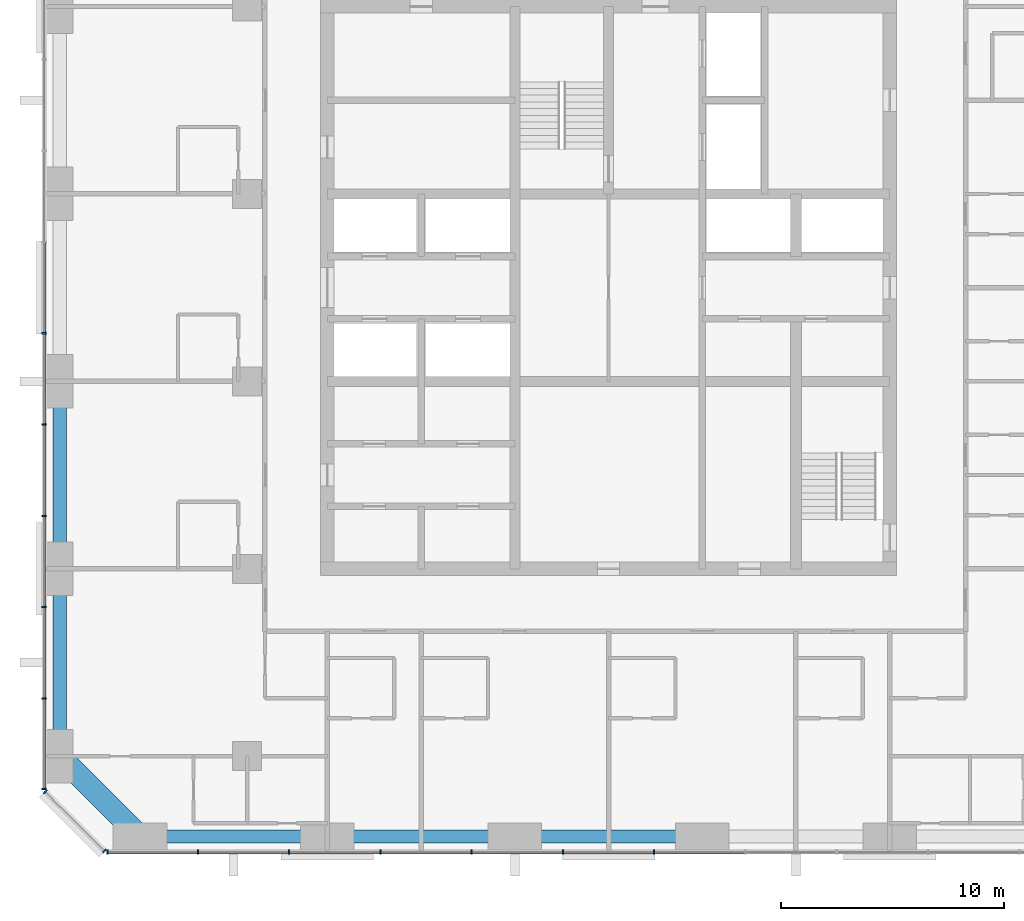
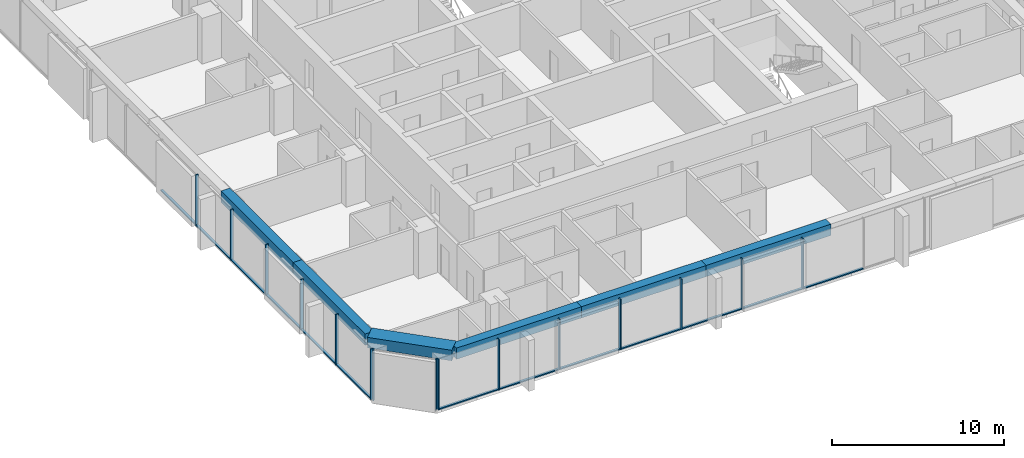
# One storey, part 2 of 13: 28 members, 6 beams, 3 elements without a shape of their own.
"""IFC4 building model written with IfcOpenShell, lengths in metres."""

from ifc_helpers import new_model, si_unit, direction, frame, origin, origin_2d, place, context, subcontext, project, spatial, rectangle, extrude, material, material_profile, profile_set, type_object, element, aggregate, save


model = new_model("IFC4")

# Units and contexts
model_context = context("Model", 3, precision=1e-05, world=origin(), true_north=direction((0.0, 1.0)))
body_context = subcontext(model_context, "Body", "Model", "MODEL_VIEW")
ifc_project = project(units=[si_unit("LENGTHUNIT", "METRE"), si_unit("AREAUNIT", "SQUARE_METRE"), si_unit("VOLUMEUNIT", "CUBIC_METRE"), si_unit("PLANEANGLEUNIT", "RADIAN"), si_unit("MASSUNIT", "GRAM", prefix="KILO")], contexts=[model_context])

# Site, building, storey
site_placement = place(None, origin())
site = spatial("IfcSite", under=ifc_project, at=site_placement, CompositionType="ELEMENT")
building_placement = place(site_placement, origin())
building = spatial("IfcBuilding", under=site, at=building_placement, Name="Dunama Terrace Hotel", CompositionType="ELEMENT")
storey_placement = place(building_placement, frame((0.0, 0.0, 195.0)))
storey = spatial("IfcBuildingStorey", under=building, at=storey_placement, Name="L50", CompositionType="ELEMENT", Elevation=195.0)

# Curtain wall, members
ifc_material_1 = material(Name="Aluminium curtain wall system", Category="aluminium")
curtain_wall_type = type_object("IfcCurtainWallType", Name="Unitised fritted glass wall CW-C", PredefinedType="NOTDEFINED", material=ifc_material_1)
curtain_wall_1_placement = place(storey_placement, origin())
curtain_wall_1 = element("IfcCurtainWall", 1, at=curtain_wall_1_placement, inside=storey, type_object=curtain_wall_type, Name="Unitised fritted glass wall CW-C L50", PredefinedType="NOTDEFINED")
ifc_material_2 = material(Name="Aluminium mullion", Category="aluminium")
ifc_material_profile_1 = material_profile(ifc_material_2, rectangle(XDim=0.070068359375, YDim=0.199951171875, at=origin_2d()), Name="CWC MULLION 70X200")
ifc_profile_set_1 = profile_set([ifc_material_profile_1], Name="Aluminium mullion")
member_type_1 = type_object("IfcMemberType", Name="CWC mullion 70x200", PredefinedType="MULLION", material=ifc_profile_set_1)
member_1_placement = place(storey_placement, frame((6.93505859375, 4.10009765625, 0.0), z_axis=(0.0, 0.0, 1.0), x_axis=(1.0, 0.0, 0.0)))
member_1 = element("IfcMember", 2, at=member_1_placement, type_object=member_type_1, Name="CWC mullion", PredefinedType="MULLION", context=body_context, shape_type="SweptSolid", body=[
    extrude(rectangle(XDim=0.070068359375, YDim=0.199951171875, at=origin_2d()), origin(), (0.0, 0.0, 1.0), 3.60009765625),
])
member_2_placement = place(storey_placement, frame((10.990966796875, 4.10009765625, 0.0), z_axis=(0.0, 0.0, 1.0), x_axis=(1.0, 0.0, 0.0)))
member_2 = element("IfcMember", 3, at=member_2_placement, type_object=member_type_1, Name="CWC mullion", PredefinedType="MULLION", context=body_context, shape_type="SweptSolid", body=[
    extrude(rectangle(XDim=0.070068359375, YDim=0.199951171875, at=origin_2d()), origin(), (0.0, 0.0, 1.0), 3.60009765625),
])
member_3_placement = place(storey_placement, frame((15.08203125, 4.10009765625, 0.0), z_axis=(0.0, 0.0, 1.0), x_axis=(1.0, 0.0, 0.0)))
member_3 = element("IfcMember", 4, at=member_3_placement, type_object=member_type_1, Name="CWC mullion", PredefinedType="MULLION", context=body_context, shape_type="SweptSolid", body=[
    extrude(rectangle(XDim=0.070068359375, YDim=0.199951171875, at=origin_2d()), origin(), (0.0, 0.0, 1.0), 3.60009765625),
])
member_4_placement = place(storey_placement, frame((19.173095703125, 4.10009765625, 0.0), z_axis=(0.0, 0.0, 1.0), x_axis=(1.0, 0.0, 0.0)))
member_4 = element("IfcMember", 5, at=member_4_placement, type_object=member_type_1, Name="CWC mullion", PredefinedType="MULLION", context=body_context, shape_type="SweptSolid", body=[
    extrude(rectangle(XDim=0.070068359375, YDim=0.199951171875, at=origin_2d()), origin(), (0.0, 0.0, 1.0), 3.60009765625),
])
member_5_placement = place(storey_placement, frame((23.263916015625, 4.10009765625, 0.0), z_axis=(0.0, 0.0, 1.0), x_axis=(1.0, 0.0, 0.0)))
member_5 = element("IfcMember", 6, at=member_5_placement, type_object=member_type_1, Name="CWC mullion", PredefinedType="MULLION", context=body_context, shape_type="SweptSolid", body=[
    extrude(rectangle(XDim=0.070068359375, YDim=0.199951171875, at=origin_2d()), origin(), (0.0, 0.0, 1.0), 3.60009765625),
])
member_6_placement = place(storey_placement, frame((27.35498046875, 4.10009765625, 0.0), z_axis=(0.0, 0.0, 1.0), x_axis=(1.0, 0.0, 0.0)))
member_6 = element("IfcMember", 7, at=member_6_placement, type_object=member_type_1, Name="CWC mullion", PredefinedType="MULLION", context=body_context, shape_type="SweptSolid", body=[
    extrude(rectangle(XDim=0.070068359375, YDim=0.199951171875, at=origin_2d()), origin(), (0.0, 0.0, 1.0), 3.60009765625),
])
member_7_placement = place(storey_placement, frame((31.445068359375, 4.10009765625, 0.0), z_axis=(0.0, 0.0, 1.0), x_axis=(1.0, 0.0, 0.0)))
member_7 = element("IfcMember", 8, at=member_7_placement, type_object=member_type_1, Name="CWC mullion", PredefinedType="MULLION", context=body_context, shape_type="SweptSolid", body=[
    extrude(rectangle(XDim=0.070068359375, YDim=0.199951171875, at=origin_2d()), origin(), (0.0, 0.0, 1.0), 3.60009765625),
])

curtain_wall_2_placement = place(storey_placement, origin())
curtain_wall_2 = element("IfcCurtainWall", 9, at=curtain_wall_2_placement, inside=storey, type_object=curtain_wall_type, Name="Unitised fritted glass wall CW-C L50", PredefinedType="NOTDEFINED")
member_8_placement = place(storey_placement, frame((4.10009765625, 27.35498046875, 0.0), z_axis=(0.0, 0.0, 1.0), x_axis=(0.0, -1.0, 0.0)))
member_8 = element("IfcMember", 10, at=member_8_placement, type_object=member_type_1, Name="CWC mullion", PredefinedType="MULLION", context=body_context, shape_type="SweptSolid", body=[
    extrude(rectangle(XDim=0.070068359375, YDim=0.199951171875, at=origin_2d()), origin(), (0.0, 0.0, 1.0), 3.60009765625),
])
member_9_placement = place(storey_placement, frame((4.10009765625, 23.263916015625, 0.0), z_axis=(0.0, 0.0, 1.0), x_axis=(0.0, -1.0, 0.0)))
member_9 = element("IfcMember", 11, at=member_9_placement, type_object=member_type_1, Name="CWC mullion", PredefinedType="MULLION", context=body_context, shape_type="SweptSolid", body=[
    extrude(rectangle(XDim=0.070068359375, YDim=0.199951171875, at=origin_2d()), origin(), (0.0, 0.0, 1.0), 3.60009765625),
])
member_10_placement = place(storey_placement, frame((4.10009765625, 19.173095703125, 0.0), z_axis=(0.0, 0.0, 1.0), x_axis=(0.0, -1.0, 0.0)))
member_10 = element("IfcMember", 12, at=member_10_placement, type_object=member_type_1, Name="CWC mullion", PredefinedType="MULLION", context=body_context, shape_type="SweptSolid", body=[
    extrude(rectangle(XDim=0.070068359375, YDim=0.199951171875, at=origin_2d()), origin(), (0.0, 0.0, 1.0), 3.60009765625),
])
member_11_placement = place(storey_placement, frame((4.10009765625, 15.08203125, 0.0), z_axis=(0.0, 0.0, 1.0), x_axis=(0.0, -1.0, 0.0)))
member_11 = element("IfcMember", 13, at=member_11_placement, type_object=member_type_1, Name="CWC mullion", PredefinedType="MULLION", context=body_context, shape_type="SweptSolid", body=[
    extrude(rectangle(XDim=0.070068359375, YDim=0.199951171875, at=origin_2d()), origin(), (0.0, 0.0, 1.0), 3.60009765625),
])
member_12_placement = place(storey_placement, frame((4.10009765625, 10.990966796875, 0.0), z_axis=(0.0, 0.0, 1.0), x_axis=(0.0, -1.0, 0.0)))
member_12 = element("IfcMember", 14, at=member_12_placement, type_object=member_type_1, Name="CWC mullion", PredefinedType="MULLION", context=body_context, shape_type="SweptSolid", body=[
    extrude(rectangle(XDim=0.070068359375, YDim=0.199951171875, at=origin_2d()), origin(), (0.0, 0.0, 1.0), 3.60009765625),
])
member_13_placement = place(storey_placement, frame((4.10009765625, 6.93505859375, 0.0), z_axis=(0.0, 0.0, 1.0), x_axis=(0.0, -1.0, 0.0)))
member_13 = element("IfcMember", 15, at=member_13_placement, type_object=member_type_1, Name="CWC mullion", PredefinedType="MULLION", context=body_context, shape_type="SweptSolid", body=[
    extrude(rectangle(XDim=0.070068359375, YDim=0.199951171875, at=origin_2d()), origin(), (0.0, 0.0, 1.0), 3.60009765625),
])

curtain_wall_3_placement = place(storey_placement, origin())
curtain_wall_3 = element("IfcCurtainWall", 16, at=curtain_wall_3_placement, inside=storey, type_object=curtain_wall_type, Name="Unitised fritted glass wall CW-C L50", PredefinedType="NOTDEFINED")
member_14_placement = place(storey_placement, frame((4.154052734375, 6.804931640625, 0.0), z_axis=(0.0, 0.0, 1.0), x_axis=(0.707106781187, -0.707106781187, 0.0)))
member_14 = element("IfcMember", 17, at=member_14_placement, type_object=member_type_1, Name="CWC mullion", PredefinedType="MULLION", context=body_context, shape_type="SweptSolid", body=[
    extrude(rectangle(XDim=0.070068359375, YDim=0.199951171875, at=origin_2d()), origin(), (0.0, 0.0, 1.0), 3.60009765625),
])
member_15_placement = place(storey_placement, frame((6.804931640625, 4.154052734375, 0.0), z_axis=(0.0, 0.0, 1.0), x_axis=(0.707106781187, -0.707106781187, 0.0)))
member_15 = element("IfcMember", 18, at=member_15_placement, type_object=member_type_1, Name="CWC mullion", PredefinedType="MULLION", context=body_context, shape_type="SweptSolid", body=[
    extrude(rectangle(XDim=0.070068359375, YDim=0.199951171875, at=origin_2d()), origin(), (0.0, 0.0, 1.0), 3.60009765625),
])
aggregate(curtain_wall_3, [member_14, member_15])

# Member
ifc_material_3 = material(Name="Aluminium transom", Category="aluminium")
ifc_material_profile_2 = material_profile(ifc_material_3, rectangle(XDim=0.159912109375, YDim=0.080078125, at=origin_2d()), Name="CWC TRANSOM 160X80")
ifc_profile_set_2 = profile_set([ifc_material_profile_2], Name="Aluminium transom")
member_type_2 = type_object("IfcMemberType", Name="CWC transom 160x80", PredefinedType="USERDEFINED", material=ifc_profile_set_2)
member_16_placement = place(storey_placement, frame((6.969970703125, 4.10009765625, 0.0400390625), z_axis=(1.0, 0.0, 0.0), x_axis=(0.0, 1.0, 0.0)))
member_16 = element("IfcMember", 19, at=member_16_placement, type_object=member_type_2, Name="CWC transom", ObjectType="TRANSOM", PredefinedType="USERDEFINED", context=body_context, shape_type="SweptSolid", body=[
    extrude(rectangle(XDim=0.159912109375, YDim=0.080078125, at=origin_2d()), origin(), (0.0, 0.0, 1.0), 3.986083984375),
])

member_17_placement = place(storey_placement, frame((11.02587890625, 4.10009765625, 0.0400390625), z_axis=(1.0, 0.0, 0.0), x_axis=(0.0, 1.0, 0.0)))
member_17 = element("IfcMember", 20, at=member_17_placement, type_object=member_type_2, Name="CWC transom", ObjectType="TRANSOM", PredefinedType="USERDEFINED", context=body_context, shape_type="SweptSolid", body=[
    extrude(rectangle(XDim=0.159912109375, YDim=0.080078125, at=origin_2d()), origin(), (0.0, 0.0, 1.0), 4.021240234375),
])

member_18_placement = place(storey_placement, frame((15.116943359375, 4.10009765625, 0.0400390625), z_axis=(1.0, 0.0, 0.0), x_axis=(0.0, 1.0, 0.0)))
member_18 = element("IfcMember", 21, at=member_18_placement, type_object=member_type_2, Name="CWC transom", ObjectType="TRANSOM", PredefinedType="USERDEFINED", context=body_context, shape_type="SweptSolid", body=[
    extrude(rectangle(XDim=0.159912109375, YDim=0.080078125, at=origin_2d()), origin(), (0.0, 0.0, 1.0), 4.02099609375),
])

member_19_placement = place(storey_placement, frame((19.2080078125, 4.10009765625, 0.0400390625), z_axis=(1.0, 0.0, 0.0), x_axis=(0.0, 1.0, 0.0)))
member_19 = element("IfcMember", 22, at=member_19_placement, type_object=member_type_2, Name="CWC transom", ObjectType="TRANSOM", PredefinedType="USERDEFINED", context=body_context, shape_type="SweptSolid", body=[
    extrude(rectangle(XDim=0.159912109375, YDim=0.080078125, at=origin_2d()), origin(), (0.0, 0.0, 1.0), 4.02099609375),
])

member_20_placement = place(storey_placement, frame((23.299072265625, 4.10009765625, 0.0400390625), z_axis=(1.0, 0.0, 0.0), x_axis=(0.0, 1.0, 0.0)))
member_20 = element("IfcMember", 23, at=member_20_placement, type_object=member_type_2, Name="CWC transom", ObjectType="TRANSOM", PredefinedType="USERDEFINED", context=body_context, shape_type="SweptSolid", body=[
    extrude(rectangle(XDim=0.159912109375, YDim=0.080078125, at=origin_2d()), origin(), (0.0, 0.0, 1.0), 4.02099609375),
])

member_21_placement = place(storey_placement, frame((27.389892578125, 4.10009765625, 0.0400390625), z_axis=(1.0, 0.0, 0.0), x_axis=(0.0, 1.0, 0.0)))
member_21 = element("IfcMember", 24, at=member_21_placement, type_object=member_type_2, Name="CWC transom", ObjectType="TRANSOM", PredefinedType="USERDEFINED", context=body_context, shape_type="SweptSolid", body=[
    extrude(rectangle(XDim=0.159912109375, YDim=0.080078125, at=origin_2d()), origin(), (0.0, 0.0, 1.0), 4.02001953125),
])

member_22_placement = place(storey_placement, frame((31.47998046875, 4.10009765625, 0.0400390625), z_axis=(1.0, 0.0, 0.0), x_axis=(0.0, 1.0, 0.0)))
member_22 = element("IfcMember", 25, at=member_22_placement, type_object=member_type_2, Name="CWC transom", ObjectType="TRANSOM", PredefinedType="USERDEFINED", context=body_context, shape_type="SweptSolid", body=[
    extrude(rectangle(XDim=0.159912109375, YDim=0.080078125, at=origin_2d()), origin(), (0.0, 0.0, 1.0), 4.02099609375),
])

aggregate(curtain_wall_1, [member_1, member_2, member_3, member_4, member_5, member_6, member_7, member_16, member_17, member_18, member_19, member_20, member_21, member_22])

member_23_placement = place(storey_placement, frame((4.10009765625, 31.409912109375, 0.0400390625), z_axis=(0.0, -1.0, 0.0), x_axis=(1.0, 0.0, 0.0)))
member_23 = element("IfcMember", 26, at=member_23_placement, type_object=member_type_2, Name="CWC transom", ObjectType="TRANSOM", PredefinedType="USERDEFINED", context=body_context, shape_type="SweptSolid", body=[
    extrude(rectangle(XDim=0.159912109375, YDim=0.080078125, at=origin_2d()), origin(), (0.0, 0.0, 1.0), 4.02001953125),
])

member_24_placement = place(storey_placement, frame((4.10009765625, 27.320068359375, 0.0400390625), z_axis=(0.0, -1.0, 0.0), x_axis=(1.0, 0.0, 0.0)))
member_24 = element("IfcMember", 27, at=member_24_placement, type_object=member_type_2, Name="CWC transom", ObjectType="TRANSOM", PredefinedType="USERDEFINED", context=body_context, shape_type="SweptSolid", body=[
    extrude(rectangle(XDim=0.159912109375, YDim=0.080078125, at=origin_2d()), origin(), (0.0, 0.0, 1.0), 4.02099609375),
])

member_25_placement = place(storey_placement, frame((4.10009765625, 23.22900390625, 0.0400390625), z_axis=(0.0, -1.0, 0.0), x_axis=(1.0, 0.0, 0.0)))
member_25 = element("IfcMember", 28, at=member_25_placement, type_object=member_type_2, Name="CWC transom", ObjectType="TRANSOM", PredefinedType="USERDEFINED", context=body_context, shape_type="SweptSolid", body=[
    extrude(rectangle(XDim=0.159912109375, YDim=0.080078125, at=origin_2d()), origin(), (0.0, 0.0, 1.0), 4.02099609375),
])

member_26_placement = place(storey_placement, frame((4.10009765625, 19.137939453125, 0.0400390625), z_axis=(0.0, -1.0, 0.0), x_axis=(1.0, 0.0, 0.0)))
member_26 = element("IfcMember", 29, at=member_26_placement, type_object=member_type_2, Name="CWC transom", ObjectType="TRANSOM", PredefinedType="USERDEFINED", context=body_context, shape_type="SweptSolid", body=[
    extrude(rectangle(XDim=0.159912109375, YDim=0.080078125, at=origin_2d()), origin(), (0.0, 0.0, 1.0), 4.02099609375),
])

member_27_placement = place(storey_placement, frame((4.10009765625, 15.047119140625, 0.0400390625), z_axis=(0.0, -1.0, 0.0), x_axis=(1.0, 0.0, 0.0)))
member_27 = element("IfcMember", 30, at=member_27_placement, type_object=member_type_2, Name="CWC transom", ObjectType="TRANSOM", PredefinedType="USERDEFINED", context=body_context, shape_type="SweptSolid", body=[
    extrude(rectangle(XDim=0.159912109375, YDim=0.080078125, at=origin_2d()), origin(), (0.0, 0.0, 1.0), 4.021240234375),
])

member_28_placement = place(storey_placement, frame((4.10009765625, 10.9560546875, 0.0400390625), z_axis=(0.0, -1.0, 0.0), x_axis=(1.0, 0.0, 0.0)))
member_28 = element("IfcMember", 31, at=member_28_placement, type_object=member_type_2, Name="CWC transom", ObjectType="TRANSOM", PredefinedType="USERDEFINED", context=body_context, shape_type="SweptSolid", body=[
    extrude(rectangle(XDim=0.159912109375, YDim=0.080078125, at=origin_2d()), origin(), (0.0, 0.0, 1.0), 3.986083984375),
])

aggregate(curtain_wall_2, [member_8, member_9, member_10, member_11, member_12, member_13, member_23, member_24, member_25, member_26, member_27, member_28])

# Beams
ifc_material_4 = material(Name="Concrete C50/60", Category="concrete")
ifc_material_profile_3 = material_profile(ifc_material_4, rectangle(XDim=1.0, YDim=0.75, at=origin_2d()), Name="RC 1000x750")
ifc_profile_set_3 = profile_set([ifc_material_profile_3], Name="Concrete C50/60")
beam_type_1 = type_object("IfcBeamType", Name="Edge beam RC 1000x750", PredefinedType="SPANDREL", material=ifc_profile_set_3)
beam_1_placement = place(storey_placement, frame((8.39990234375, 4.800048828125, 3.22509765625), z_axis=(-0.707106781187, 0.707106781187, 0.0), x_axis=(-0.707106781187, -0.707106781187, 0.0)))
element("IfcBeam", 32, at=beam_1_placement, inside=storey, type_object=beam_type_1, Name="Corner edge beam under L51", PredefinedType="SPANDREL", context=body_context, shape_type="SweptSolid", body=[
    extrude(rectangle(XDim=1.0, YDim=0.75, at=origin_2d()), origin(), (0.0, 0.0, 1.0), 5.091064453125),
])
ifc_material_5 = material(Name="Concrete C40/50", Category="concrete")
ifc_material_profile_4 = material_profile(ifc_material_5, rectangle(XDim=0.60009765625, YDim=0.800048828125, at=origin_2d()), Name="RC 600x800")
ifc_profile_set_4 = profile_set([ifc_material_profile_4], Name="Concrete C40/50")
beam_type_2 = type_object("IfcBeamType", Name="Edge beam RC 600x800", PredefinedType="SPANDREL", material=ifc_profile_set_4)
beam_2_placement = place(storey_placement, frame((4.800048828125, 8.39990234375, 3.199951171875), z_axis=(0.0, 1.0, 0.0), x_axis=(-1.0, 0.0, 0.0)))
element("IfcBeam", 33, at=beam_2_placement, inside=storey, type_object=beam_type_2, Name="Edge beam under L51", PredefinedType="SPANDREL", context=body_context, shape_type="SweptSolid", body=[
    extrude(rectangle(XDim=0.60009765625, YDim=0.800048828125, at=origin_2d()), origin(), (0.0, 0.0, 1.0), 8.400146484375),
])
beam_3_placement = place(storey_placement, frame((4.800048828125, 16.800048828125, 3.199951171875), z_axis=(0.0, 1.0, 0.0), x_axis=(-1.0, 0.0, 0.0)))
element("IfcBeam", 34, at=beam_3_placement, inside=storey, type_object=beam_type_2, Name="Edge beam under L51", PredefinedType="SPANDREL", context=body_context, shape_type="SweptSolid", body=[
    extrude(rectangle(XDim=0.60009765625, YDim=0.800048828125, at=origin_2d()), origin(), (0.0, 0.0, 1.0), 8.39990234375),
])
beam_4_placement = place(storey_placement, frame((8.39990234375, 4.800048828125, 3.199951171875), z_axis=(1.0, 0.0, 0.0), x_axis=(0.0, 1.0, 0.0)))
element("IfcBeam", 35, at=beam_4_placement, inside=storey, type_object=beam_type_2, Name="Edge beam under L51", PredefinedType="SPANDREL", context=body_context, shape_type="SweptSolid", body=[
    extrude(rectangle(XDim=0.60009765625, YDim=0.800048828125, at=origin_2d()), origin(), (0.0, 0.0, 1.0), 8.400146484375),
])
beam_5_placement = place(storey_placement, frame((16.800048828125, 4.800048828125, 3.199951171875), z_axis=(1.0, 0.0, 0.0), x_axis=(0.0, 1.0, 0.0)))
element("IfcBeam", 36, at=beam_5_placement, inside=storey, type_object=beam_type_2, Name="Edge beam under L51", PredefinedType="SPANDREL", context=body_context, shape_type="SweptSolid", body=[
    extrude(rectangle(XDim=0.60009765625, YDim=0.800048828125, at=origin_2d()), origin(), (0.0, 0.0, 1.0), 8.39990234375),
])
beam_6_placement = place(storey_placement, frame((25.199951171875, 4.800048828125, 3.199951171875), z_axis=(1.0, 0.0, 0.0), x_axis=(0.0, 1.0, 0.0)))
element("IfcBeam", 37, at=beam_6_placement, inside=storey, type_object=beam_type_2, Name="Edge beam under L51", PredefinedType="SPANDREL", context=body_context, shape_type="SweptSolid", body=[
    extrude(rectangle(XDim=0.60009765625, YDim=0.800048828125, at=origin_2d()), origin(), (0.0, 0.0, 1.0), 8.400146484375),
])

save(model, "model.ifc")
